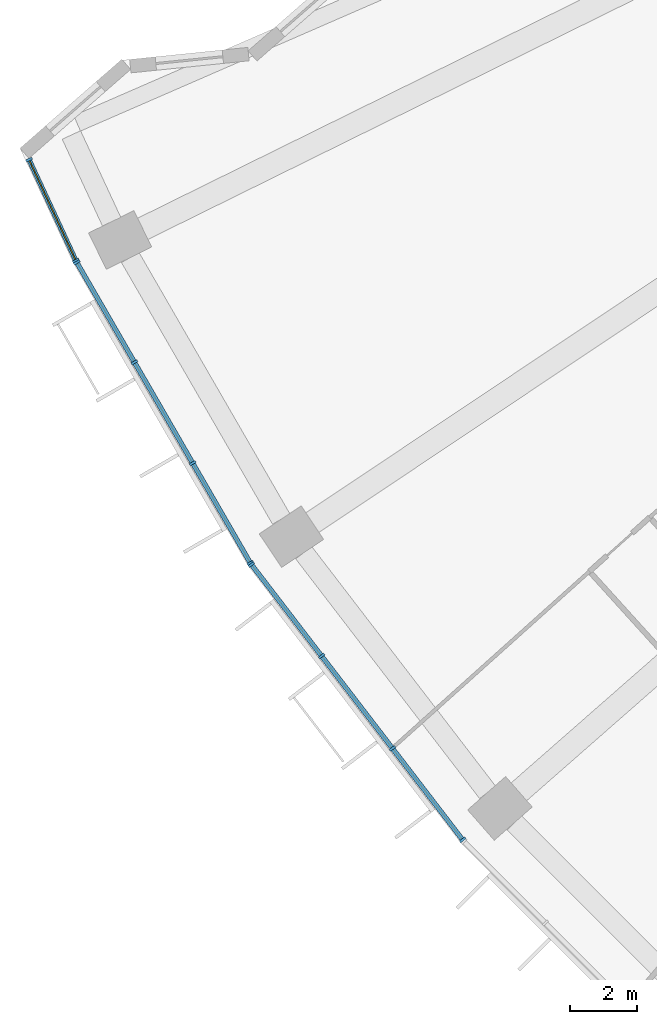
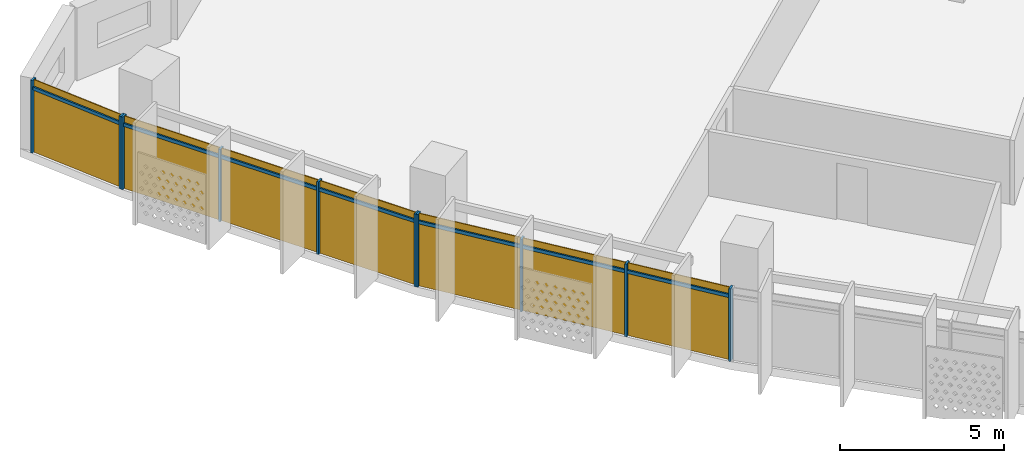
# One storey, part 19 of 28: 17 members, 3 curtain walls.
"""IFC4 building model written with IfcOpenShell, lengths in metres."""

from ifc_helpers import new_model, si_unit, direction, frame, origin, origin_2d, place, context, subcontext, project, spatial, rectangle, extrude, material, material_profile, profile_set, type_object, element, aggregate, save


model = new_model("IFC4")

# Units and contexts
model_context = context("Model", 3, precision=1e-05, world=origin(), true_north=direction((0.0, 1.0)))
body_context = subcontext(model_context, "Body", "Model", "MODEL_VIEW")
ifc_project = project(units=[si_unit("LENGTHUNIT", "METRE"), si_unit("AREAUNIT", "SQUARE_METRE"), si_unit("VOLUMEUNIT", "CUBIC_METRE"), si_unit("PLANEANGLEUNIT", "RADIAN"), si_unit("MASSUNIT", "GRAM", prefix="KILO")], contexts=[model_context])

# Member
ifc_material = material(Name="Aluminium 6063-T6 anodised", Category="aluminium")
ifc_material_profile_1 = material_profile(ifc_material, rectangle(XDim=0.199951171875, YDim=0.070068359375, at=origin_2d()))
ifc_profile_set_1 = profile_set([ifc_material_profile_1], Name="Aluminium 6063-T6 anodised")
member_type_1 = type_object("IfcMemberType", Name="Mullion 70 x 200 aluminium", PredefinedType="MULLION", material=ifc_profile_set_1)
site_placement = place(None, origin())
building_placement = place(site_placement, origin())
storey_placement = place(building_placement, frame((0.0, 0.0, 140.5)))
member_1_placement = place(storey_placement, frame((-72.43701171875, -32.001953125, 0.0), z_axis=(0.0, 0.0, 1.0), x_axis=(0.907105191631, 0.420903992991, 0.0)))
member_1 = element("IfcMember", 1, at=member_1_placement, type_object=member_type_1, Name="e-cw1-L32-out00/M00", PredefinedType="MULLION", context=body_context, shape_type="SweptSolid", body=[
    extrude(rectangle(XDim=0.199951171875, YDim=0.070068359375, at=origin_2d()), origin(), (0.0, 0.0, 1.0), 2.699951171875),
])

member_2_placement = place(storey_placement, frame((-71.046142578125, -34.999755859375, 0.0), z_axis=(0.0, 0.0, 1.0), x_axis=(0.907105191631, 0.420903992991, 0.0)))
member_2 = element("IfcMember", 2, at=member_2_placement, type_object=member_type_1, Name="e-cw1-L32-out00/M01", PredefinedType="MULLION", context=body_context, shape_type="SweptSolid", body=[
    extrude(rectangle(XDim=0.199951171875, YDim=0.070068359375, at=origin_2d()), origin(), (0.0, 0.0, 1.0), 2.699951171875),
])

member_3_placement = place(storey_placement, frame((-71.017822265625, -35.0537109375, 0.0), z_axis=(0.0, 0.0, 1.0), x_axis=(0.866025403784, 0.5, 0.0)))
member_3 = element("IfcMember", 3, at=member_3_placement, type_object=member_type_1, Name="e-cw1-L32-out01/M00", PredefinedType="MULLION", context=body_context, shape_type="SweptSolid", body=[
    extrude(rectangle(XDim=0.199951171875, YDim=0.070068359375, at=origin_2d()), origin(), (0.0, 0.0, 1.0), 2.699951171875),
])

member_4_placement = place(storey_placement, frame((-69.306640625, -38.017822265625, 0.0), z_axis=(0.0, 0.0, 1.0), x_axis=(0.866025403784, 0.5, 0.0)))
member_4 = element("IfcMember", 4, at=member_4_placement, type_object=member_type_1, Name="e-cw1-L32-out01/M01", PredefinedType="MULLION", context=body_context, shape_type="SweptSolid", body=[
    extrude(rectangle(XDim=0.199951171875, YDim=0.070068359375, at=origin_2d()), origin(), (0.0, 0.0, 1.0), 2.699951171875),
])

member_5_placement = place(storey_placement, frame((-67.577880859375, -41.01220703125, 0.0), z_axis=(0.0, 0.0, 1.0), x_axis=(0.866025403784, 0.5, 0.0)))
member_5 = element("IfcMember", 5, at=member_5_placement, type_object=member_type_1, Name="e-cw1-L32-out01/M02", PredefinedType="MULLION", context=body_context, shape_type="SweptSolid", body=[
    extrude(rectangle(XDim=0.199951171875, YDim=0.070068359375, at=origin_2d()), origin(), (0.0, 0.0, 1.0), 2.699951171875),
])

member_6_placement = place(storey_placement, frame((-65.866455078125, -43.976318359375, 0.0), z_axis=(0.0, 0.0, 1.0), x_axis=(0.866025403784, 0.5, 0.0)))
member_6 = element("IfcMember", 6, at=member_6_placement, type_object=member_type_1, Name="e-cw1-L32-out01/M03", PredefinedType="MULLION", context=body_context, shape_type="SweptSolid", body=[
    extrude(rectangle(XDim=0.199951171875, YDim=0.070068359375, at=origin_2d()), origin(), (0.0, 0.0, 1.0), 2.699951171875),
])

member_7_placement = place(storey_placement, frame((-65.8349609375, -44.023681640625, 0.0), z_axis=(0.0, 0.0, 1.0), x_axis=(0.793353340291, 0.608761429009, 0.0)))
member_7 = element("IfcMember", 7, at=member_7_placement, type_object=member_type_1, Name="e-cw1-L32-out02/M00", PredefinedType="MULLION", context=body_context, shape_type="SweptSolid", body=[
    extrude(rectangle(XDim=0.199951171875, YDim=0.070068359375, at=origin_2d()), origin(), (0.0, 0.0, 1.0), 2.699951171875),
])

member_8_placement = place(storey_placement, frame((-63.751220703125, -46.739013671875, 0.0), z_axis=(0.0, 0.0, 1.0), x_axis=(0.793353340291, 0.608761429009, 0.0)))
member_8 = element("IfcMember", 8, at=member_8_placement, type_object=member_type_1, Name="e-cw1-L32-out02/M01", PredefinedType="MULLION", context=body_context, shape_type="SweptSolid", body=[
    extrude(rectangle(XDim=0.199951171875, YDim=0.070068359375, at=origin_2d()), origin(), (0.0, 0.0, 1.0), 2.699951171875),
])

member_9_placement = place(storey_placement, frame((-61.646484375, -49.482177734375, 0.0), z_axis=(0.0, 0.0, 1.0), x_axis=(0.793353340291, 0.608761429009, 0.0)))
member_9 = element("IfcMember", 9, at=member_9_placement, type_object=member_type_1, Name="e-cw1-L32-out02/M02", PredefinedType="MULLION", context=body_context, shape_type="SweptSolid", body=[
    extrude(rectangle(XDim=0.199951171875, YDim=0.070068359375, at=origin_2d()), origin(), (0.0, 0.0, 1.0), 2.699951171875),
])

member_10_placement = place(storey_placement, frame((-59.56298828125, -52.197509765625, 0.0), z_axis=(0.0, 0.0, 1.0), x_axis=(0.793353340291, 0.608761429009, 0.0)))
member_10 = element("IfcMember", 10, at=member_10_placement, type_object=member_type_1, Name="e-cw1-L32-out02/M03", PredefinedType="MULLION", context=body_context, shape_type="SweptSolid", body=[
    extrude(rectangle(XDim=0.199951171875, YDim=0.070068359375, at=origin_2d()), origin(), (0.0, 0.0, 1.0), 2.699951171875),
])

ifc_material_profile_2 = material_profile(ifc_material, rectangle(XDim=0.139892578125, YDim=0.1201171875, at=origin_2d()))
ifc_profile_set_2 = profile_set([ifc_material_profile_2], Name="Aluminium 6063-T6 anodised")
member_type_2 = type_object("IfcMemberType", Name="Transom 120 x 140 aluminium", PredefinedType="USERDEFINED", material=ifc_profile_set_2)
member_11_placement = place(storey_placement, frame((-72.422119140625, -32.03369140625, 2.39990234375), z_axis=(0.420847404072, -0.907131447193, 0.0), x_axis=(0.907131447193, 0.420847404072, 0.0)))
member_11 = element("IfcMember", 11, at=member_11_placement, type_object=member_type_2, Name="e-cw1-L32-out00/T00", ObjectType="TRANSOM", PredefinedType="USERDEFINED", context=body_context, shape_type="SweptSolid", body=[
    extrude(rectangle(XDim=0.139892578125, YDim=0.1201171875, at=origin_2d()), origin(), (0.0, 0.0, 1.0), 3.234619140625),
])

member_12_placement = place(storey_placement, frame((-71.00048828125, -35.084228515625, 2.39990234375), z_axis=(0.50006283963, -0.865989120267, 0.0), x_axis=(0.865989120267, 0.50006283963, 0.0)))
member_12 = element("IfcMember", 12, at=member_12_placement, type_object=member_type_2, Name="e-cw1-L32-out01/T00", ObjectType="TRANSOM", PredefinedType="USERDEFINED", context=body_context, shape_type="SweptSolid", body=[
    extrude(rectangle(XDim=0.139892578125, YDim=0.1201171875, at=origin_2d()), origin(), (0.0, 0.0, 1.0), 3.3525390625),
])

member_13_placement = place(storey_placement, frame((-69.2890625, -38.048095703125, 2.39990234375), z_axis=(0.499999017107, -0.866025971257, 0.0), x_axis=(0.866025971257, 0.499999017107, 0.0)))
member_13 = element("IfcMember", 13, at=member_13_placement, type_object=member_type_2, Name="e-cw1-L32-out01/T01", ObjectType="TRANSOM", PredefinedType="USERDEFINED", context=body_context, shape_type="SweptSolid", body=[
    extrude(rectangle(XDim=0.139892578125, YDim=0.1201171875, at=origin_2d()), origin(), (0.0, 0.0, 1.0), 3.3876953125),
])

member_14_placement = place(storey_placement, frame((-67.560302734375, -41.042724609375, 2.39990234375), z_axis=(0.50000822536, -0.866020654818, 0.0), x_axis=(0.866020654818, 0.50000822536, 0.0)))
member_14 = element("IfcMember", 14, at=member_14_placement, type_object=member_type_2, Name="e-cw1-L32-out01/T02", ObjectType="TRANSOM", PredefinedType="USERDEFINED", context=body_context, shape_type="SweptSolid", body=[
    extrude(rectangle(XDim=0.139892578125, YDim=0.1201171875, at=origin_2d()), origin(), (0.0, 0.0, 1.0), 3.3525390625),
])

member_15_placement = place(storey_placement, frame((-65.8134765625, -44.05126953125, 2.39990234375), z_axis=(0.608714331426, -0.793389477316, 0.0), x_axis=(0.793389477316, 0.608714331426, 0.0)))
member_15 = element("IfcMember", 15, at=member_15_placement, type_object=member_type_2, Name="e-cw1-L32-out02/T00", ObjectType="TRANSOM", PredefinedType="USERDEFINED", context=body_context, shape_type="SweptSolid", body=[
    extrude(rectangle(XDim=0.139892578125, YDim=0.1201171875, at=origin_2d()), origin(), (0.0, 0.0, 1.0), 3.3525390625),
])

member_16_placement = place(storey_placement, frame((-63.72998046875, -46.766845703125, 2.39990234375), z_axis=(0.608773427772, -0.793344133173, 0.0), x_axis=(0.793344133173, 0.608773427772, 0.0)))
member_16 = element("IfcMember", 16, at=member_16_placement, type_object=member_type_2, Name="e-cw1-L32-out02/T01", ObjectType="TRANSOM", PredefinedType="USERDEFINED", context=body_context, shape_type="SweptSolid", body=[
    extrude(rectangle(XDim=0.139892578125, YDim=0.1201171875, at=origin_2d()), origin(), (0.0, 0.0, 1.0), 3.387451171875),
])

member_17_placement = place(storey_placement, frame((-61.625244140625, -49.509765625, 2.39990234375), z_axis=(0.608760167055, -0.793354308621, 0.0), x_axis=(0.793354308621, 0.608760167055, 0.0)))
member_17 = element("IfcMember", 17, at=member_17_placement, type_object=member_type_2, Name="e-cw1-L32-out02/T02", ObjectType="TRANSOM", PredefinedType="USERDEFINED", context=body_context, shape_type="SweptSolid", body=[
    extrude(rectangle(XDim=0.139892578125, YDim=0.1201171875, at=origin_2d()), origin(), (0.0, 0.0, 1.0), 3.352783203125),
])

# Site, building, storey
site = spatial("IfcSite", under=ifc_project, at=site_placement, CompositionType="ELEMENT")
building = spatial("IfcBuilding", under=site, at=building_placement, Name="Qamariyya Broadcast Tower", CompositionType="ELEMENT")
storey = spatial("IfcBuildingStorey", under=building, at=storey_placement, Name="L32", CompositionType="ELEMENT", Elevation=140.5)

# Curtain wall
curtain_wall_type = type_object("IfcCurtainWallType", Name="Unitised curtain wall, anodised aluminium", PredefinedType="NOTDEFINED", material=ifc_material)
curtain_wall_1_placement = place(storey_placement, origin())
curtain_wall_1 = element("IfcCurtainWall", 18, at=curtain_wall_1_placement, inside=storey, type_object=curtain_wall_type, Name="e-cw1-L32-out00", PredefinedType="NOTDEFINED", context=body_context, shape_type="SweptSolid", body=[
    extrude(rectangle(XDim=3.23486328125, YDim=0.031982421875, at=origin_2d()), frame((-71.741455078125, -33.5009765625, 0.0), x_axis=(0.420892367005, -0.90711058609, 0.0)), (0.0, 0.0, 1.0), 2.340087890625),
    extrude(rectangle(XDim=3.23486328125, YDim=0.031982421875, at=origin_2d()), frame((-71.741455078125, -33.5009765625, 2.4599609375), x_axis=(0.420892367005, -0.90711058609, 0.0)), (0.0, 0.0, 1.0), 0.239990234375),
])

aggregate(curtain_wall_1, [member_1, member_2, member_11])

curtain_wall_2_placement = place(storey_placement, origin())
curtain_wall_2 = element("IfcCurtainWall", 19, at=curtain_wall_2_placement, inside=storey, type_object=curtain_wall_type, Name="e-cw1-L32-out01", PredefinedType="NOTDEFINED", context=body_context, shape_type="SweptSolid", body=[
    extrude(rectangle(XDim=3.352783203125, YDim=0.031982421875, at=origin_2d()), frame((-70.162109375, -36.535888671875, 0.0), x_axis=(0.499996813733, -0.866027243369, 0.0)), (0.0, 0.0, 1.0), 2.340087890625),
    extrude(rectangle(XDim=3.352783203125, YDim=0.031982421875, at=origin_2d()), frame((-70.162109375, -36.535888671875, 2.4599609375), x_axis=(0.499996813733, -0.866027243369, 0.0)), (0.0, 0.0, 1.0), 0.239990234375),
    extrude(rectangle(XDim=3.3876953125, YDim=0.031982421875, at=origin_2d()), frame((-68.442138671875, -39.51513671875, 0.0), x_axis=(0.499996813733, -0.866027243369, 0.0)), (0.0, 0.0, 1.0), 2.340087890625),
    extrude(rectangle(XDim=3.3876953125, YDim=0.031982421875, at=origin_2d()), frame((-68.442138671875, -39.51513671875, 2.4599609375), x_axis=(0.499996813733, -0.866027243369, 0.0)), (0.0, 0.0, 1.0), 0.239990234375),
    extrude(rectangle(XDim=3.352783203125, YDim=0.031982421875, at=origin_2d()), frame((-66.72216796875, -42.494384765625, 0.0), x_axis=(0.499996813733, -0.866027243369, 0.0)), (0.0, 0.0, 1.0), 2.340087890625),
    extrude(rectangle(XDim=3.352783203125, YDim=0.031982421875, at=origin_2d()), frame((-66.72216796875, -42.494384765625, 2.4599609375), x_axis=(0.499996813733, -0.866027243369, 0.0)), (0.0, 0.0, 1.0), 0.239990234375),
])

aggregate(curtain_wall_2, [member_3, member_4, member_5, member_6, member_12, member_13, member_14])

curtain_wall_3_placement = place(storey_placement, origin())
curtain_wall_3 = element("IfcCurtainWall", 20, at=curtain_wall_3_placement, inside=storey, type_object=curtain_wall_type, Name="e-cw1-L32-out02", PredefinedType="NOTDEFINED", context=body_context, shape_type="SweptSolid", body=[
    extrude(rectangle(XDim=3.352783203125, YDim=0.031982421875, at=origin_2d()), frame((-64.793212890625, -45.38134765625, 0.0), x_axis=(0.608760568165, -0.793354000839, 0.0)), (0.0, 0.0, 1.0), 2.340087890625),
    extrude(rectangle(XDim=3.352783203125, YDim=0.031982421875, at=origin_2d()), frame((-64.793212890625, -45.38134765625, 2.4599609375), x_axis=(0.608760568165, -0.793354000839, 0.0)), (0.0, 0.0, 1.0), 0.239990234375),
    extrude(rectangle(XDim=3.3876953125, YDim=0.031982421875, at=origin_2d()), frame((-62.69873046875, -48.110595703125, 0.0), x_axis=(0.608760568165, -0.793354000839, 0.0)), (0.0, 0.0, 1.0), 2.340087890625),
    extrude(rectangle(XDim=3.3876953125, YDim=0.031982421875, at=origin_2d()), frame((-62.69873046875, -48.110595703125, 2.4599609375), x_axis=(0.608760568165, -0.793354000839, 0.0)), (0.0, 0.0, 1.0), 0.239990234375),
    extrude(rectangle(XDim=3.352783203125, YDim=0.031982421875, at=origin_2d()), frame((-60.6044921875, -50.83984375, 0.0), x_axis=(0.608760568165, -0.793354000839, 0.0)), (0.0, 0.0, 1.0), 2.340087890625),
    extrude(rectangle(XDim=3.352783203125, YDim=0.031982421875, at=origin_2d()), frame((-60.6044921875, -50.83984375, 2.4599609375), x_axis=(0.608760568165, -0.793354000839, 0.0)), (0.0, 0.0, 1.0), 0.239990234375),
])

aggregate(curtain_wall_3, [member_7, member_8, member_9, member_10, member_15, member_16, member_17])

save(model, "model.ifc")
